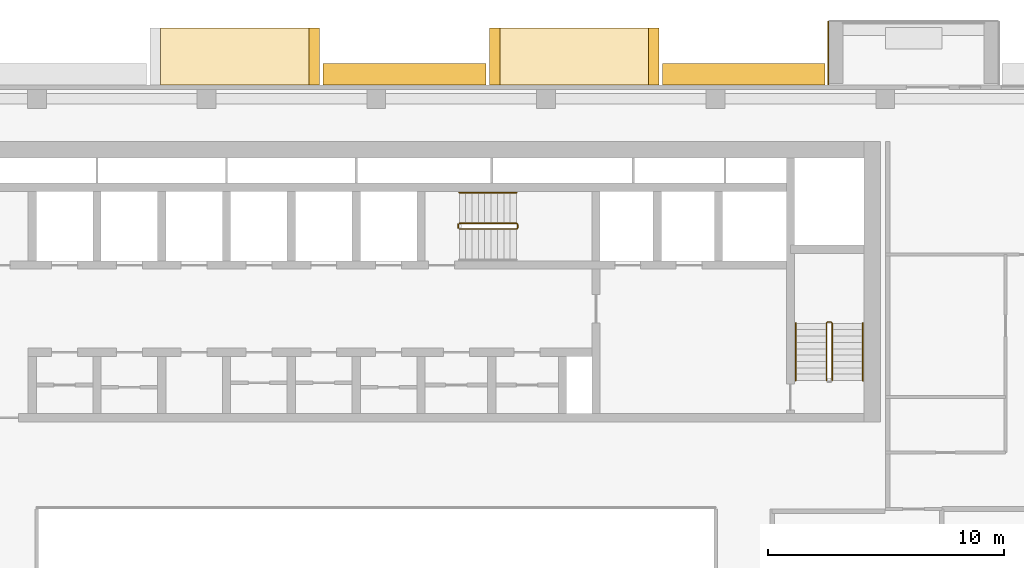
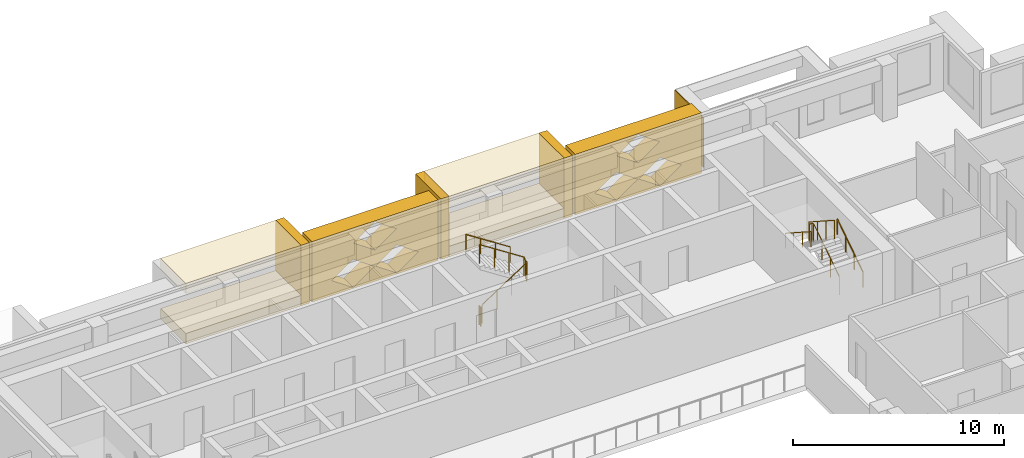
# One storey, part 19 of 20: 10 coverings, 6 railings.
"""IFC4 building model written with IfcOpenShell, lengths in metres."""

from ifc_helpers import new_model, si_unit, direction, frame, origin, origin_2d, place, context, subcontext, project, spatial, polyline, circle, outline, extrude, material, layer, layer_set, type_object, element, save


model = new_model("IFC4")

# Units and contexts
model_context = context("Model", 3, precision=1e-05, world=origin(), true_north=direction((0.0, 1.0)))
body_context = subcontext(model_context, "Body", "Model", "MODEL_VIEW")
ifc_project = project(units=[si_unit("LENGTHUNIT", "METRE"), si_unit("AREAUNIT", "SQUARE_METRE"), si_unit("VOLUMEUNIT", "CUBIC_METRE"), si_unit("PLANEANGLEUNIT", "RADIAN"), si_unit("MASSUNIT", "GRAM", prefix="KILO")], contexts=[model_context])

# Site, building, storey
site_placement = place(None, origin())
site = spatial("IfcSite", under=ifc_project, at=site_placement, CompositionType="ELEMENT")
building_placement = place(site_placement, origin())
building = spatial("IfcBuilding", under=site, at=building_placement, Name="Saffron Iwan Residences", CompositionType="ELEMENT")
storey_placement = place(building_placement, frame((0.0, 0.0, 185.0)))
storey = spatial("IfcBuildingStorey", under=building, at=storey_placement, Name="L49", CompositionType="ELEMENT", Elevation=185.0)

# Coverings
ifc_material_1 = material(Name="Precast concrete C40/50 white painted", Category="concrete")
ifc_layer = layer(ifc_material_1, 0.050048828125)
ifc_layer_set = layer_set([ifc_layer], Name="Precast concrete C40/50 white painted")
covering_type_1 = type_object("IfcCoveringType", Name="FRAME SKIN PRECAST WHITE 50", PredefinedType="CLADDING", material=ifc_layer_set)
covering_1_placement = place(storey_placement, origin())
element("IfcCovering", 1, at=covering_1_placement, inside=storey, type_object=covering_type_1, Name="Frame skin fin L49 F5-0b", PredefinedType="CLADDING", context=body_context, shape_type="SweptSolid", body=[
    extrude(outline(polyline([(69.60009765625, 83.10009765625), (69.550048828125, 83.10009765625), (69.550048828125, 80.39990234375), (69.60009765625, 80.39990234375), (69.60009765625, 83.10009765625)])), origin(), (0.0, 0.0, 1.0), 2.85009765625),
])
ifc_material_2 = material(Name="Precast concrete C40/50", Category="concrete")
covering_type_2 = type_object("IfcCoveringType", Name="OUTER SKIN LATTICE SCREEN", PredefinedType="CLADDING", material=ifc_material_2)
for number, where, z_axis, x_axis, name in (
    (2, (69.449951171875, 80.39990234375, -0.300048828125), (0.0, 1.0, 0.0), (-1.0, 0.0, 0.0), "OUTER SKIN lattice screen L49 F5.1"),
    (3, (55.050048828125, 80.39990234375, -0.300048828125), (0.0, 1.0, 0.0), (-1.0, 0.0, 0.0), "OUTER SKIN lattice screen L49 F5.2"),
):
    element("IfcCovering", number, at=place(storey_placement, frame(where, z_axis=z_axis, x_axis=x_axis)), inside=storey, type_object=covering_type_2, Name=name, PredefinedType="CLADDING", context=body_context, shape_type="SweptSolid", body=[
        extrude(outline(polyline([(0.0, 0.0), (6.89990234375, 0.0), (6.89990234375, 3.5), (0.0, 3.5), (0.0, 0.0)]), holes=[polyline([(1.070068359375, 0.875), (2.25, 0.06005859375), (3.429931640625, 0.875), (2.25, 1.68994140625), (1.070068359375, 0.875)]), polyline([(3.469970703125, 0.875), (4.64990234375, 0.06005859375), (5.830078125, 0.875), (4.64990234375, 1.68994140625), (3.469970703125, 0.875)]), polyline([(2.27001953125, 2.625), (3.449951171875, 1.81005859375), (4.6298828125, 2.625), (3.449951171875, 3.43994140625), (2.27001953125, 2.625)])]), origin(), (0.0, 0.0, 1.0), 0.900146484375),
    ])

# Railings
ifc_material_3 = material(Name="Steel S355", Category="steel")
railing_type_1 = type_object("IfcRailingType", Name="Stair guard 1100", PredefinedType="GUARDRAIL", material=ifc_material_3)
railing_1_placement = place(storey_placement, frame((53.925048828125, 74.27490234375, 0.175048828125)))
element("IfcRailing", 4, at=railing_1_placement, inside=storey, type_object=railing_type_1, Name="L49 ST-C stair guard 1", PredefinedType="GUARDRAIL", context=body_context, shape_type="SweptSolid", body=[
    extrude(circle(Radius=0.02392578125, at=origin_2d()), frame((0.0, 0.0, 1.076171875), z_axis=(0.839153699163, 0.0, 0.543894354798), x_axis=(0.0, 1.0, 0.0)), (0.0, 0.0, 1.0), 2.895751953125),
    extrude(circle(Radius=0.02392578125, at=origin_2d()), frame((2.429931640625, 0.0, 2.65087890625), z_axis=(0.707106781187, 0.707106781187, 0.0), x_axis=(-0.707106781187, 0.707106781187, 0.0)), (0.0, 0.0, 1.0), 0.07080078125),
    extrude(circle(Radius=0.02392578125, at=origin_2d()), frame((2.47998046875, 0.050048828125, 2.65087890625), z_axis=(0.0, 1.0, 0.0), x_axis=(-1.0, 0.0, 0.0)), (0.0, 0.0, 1.0), 0.150146484375),
    extrude(circle(Radius=0.02392578125, at=origin_2d()), frame((2.47998046875, 0.2001953125, 2.65087890625), z_axis=(-0.265155923931, 0.263862480399, 0.927399011991), x_axis=(-0.705375805398, -0.708833529934, 0.0)), (0.0, 0.0, 1.0), 0.188720703125),
    extrude(circle(Radius=0.02392578125, at=origin_2d()), frame((2.429931640625, 0.25, 2.826171875), z_axis=(-0.839153699163, 0.0, 0.543894354798), x_axis=(0.0, -1.0, 0.0)), (0.0, 0.0, 1.0), 2.895751953125),
    extrude(circle(Radius=0.02099609375, at=origin_2d()), origin(), (0.0, 0.0, 1.0), 1.052001953125),
    extrude(circle(Radius=0.02099609375, at=origin_2d()), frame((0.81005859375, 0.0, 0.52490234375)), (0.0, 0.0, 1.0), 1.052001953125),
    extrude(circle(Radius=0.02099609375, at=origin_2d()), frame((1.619873046875, 0.0, 1.050048828125)), (0.0, 0.0, 1.0), 1.052001953125),
    extrude(circle(Radius=0.02099609375, at=origin_2d()), frame((2.429931640625, 0.0, 1.574951171875)), (0.0, 0.0, 1.0), 1.052001953125),
    extrude(circle(Radius=0.02099609375, at=origin_2d()), frame((2.47998046875, 0.050048828125, 1.574951171875)), (0.0, 0.0, 1.0), 1.052001953125),
    extrude(circle(Radius=0.02099609375, at=origin_2d()), frame((2.47998046875, 0.2001953125, 1.574951171875)), (0.0, 0.0, 1.0), 1.052001953125),
    extrude(circle(Radius=0.02099609375, at=origin_2d()), frame((2.429931640625, 0.25, 1.75)), (0.0, 0.0, 1.0), 1.052001953125),
    extrude(circle(Radius=0.02099609375, at=origin_2d()), frame((1.619873046875, 0.25, 2.27490234375)), (0.0, 0.0, 1.0), 1.052001953125),
    extrude(circle(Radius=0.02099609375, at=origin_2d()), frame((0.81005859375, 0.25, 2.800048828125)), (0.0, 0.0, 1.0), 1.052001953125),
    extrude(circle(Radius=0.02099609375, at=origin_2d()), frame((0.0, 0.25, 3.324951171875)), (0.0, 0.0, 1.0), 1.052001953125),
])
railing_2_placement = place(storey_placement, frame((53.875, 74.324951171875, 0.0)))
element("IfcRailing", 5, at=railing_2_placement, inside=storey, type_object=railing_type_1, Name="L49 ST-C stair guard 2", PredefinedType="GUARDRAIL", context=body_context, shape_type="SweptSolid", body=[
    extrude(circle(Radius=0.02392578125, at=origin_2d()), frame((0.0, 0.0, 1.076171875), z_axis=(0.0, 1.0, 0.0), x_axis=(-1.0, 0.0, 0.0)), (0.0, 0.0, 1.0), 0.150146484375),
    extrude(circle(Radius=0.02099609375, at=origin_2d()), origin(), (0.0, 0.0, 1.0), 1.052001953125),
    extrude(circle(Radius=0.02099609375, at=origin_2d()), frame((0.0, 0.150146484375, 0.0)), (0.0, 0.0, 1.0), 1.052001953125),
])
railing_3_placement = place(storey_placement, frame((69.75, 67.85009765625, 0.175048828125)))
element("IfcRailing", 6, at=railing_3_placement, inside=storey, type_object=railing_type_1, Name="L49 ST-E stair guard 1", PredefinedType="GUARDRAIL", context=body_context, shape_type="SweptSolid", body=[
    extrude(circle(Radius=0.02392578125, at=origin_2d()), frame((0.0, 0.0, 1.076171875), z_axis=(0.0, 0.839153699163, 0.543894354798), x_axis=(-1.0, 0.0, 0.0)), (0.0, 0.0, 1.0), 2.895751953125),
    extrude(circle(Radius=0.02392578125, at=origin_2d()), frame((0.0, 2.429931640625, 2.65087890625), z_axis=(-0.707106781187, 0.707106781187, 0.0), x_axis=(-0.707106781187, -0.707106781187, 0.0)), (0.0, 0.0, 1.0), 0.07080078125),
    extrude(circle(Radius=0.02392578125, at=origin_2d()), frame((-0.050048828125, 2.47998046875, 2.65087890625), z_axis=(-1.0, 0.0, 0.0), x_axis=(0.0, -1.0, 0.0)), (0.0, 0.0, 1.0), 0.14990234375),
    extrude(circle(Radius=0.02392578125, at=origin_2d()), frame((-0.199951171875, 2.47998046875, 2.65087890625), z_axis=(-0.265065253269, -0.265065253269, 0.927081885822), x_axis=(0.707106781187, -0.707106781187, 0.0)), (0.0, 0.0, 1.0), 0.188720703125),
    extrude(circle(Radius=0.02392578125, at=origin_2d()), frame((-0.25, 2.429931640625, 2.826171875), z_axis=(0.0, -0.839153699163, 0.543894354798), x_axis=(1.0, 0.0, 0.0)), (0.0, 0.0, 1.0), 2.895751953125),
    extrude(circle(Radius=0.02099609375, at=origin_2d()), origin(), (0.0, 0.0, 1.0), 1.052001953125),
    extrude(circle(Radius=0.02099609375, at=origin_2d()), frame((0.0, 0.81005859375, 0.52490234375)), (0.0, 0.0, 1.0), 1.052001953125),
    extrude(circle(Radius=0.02099609375, at=origin_2d()), frame((0.0, 1.619873046875, 1.050048828125)), (0.0, 0.0, 1.0), 1.052001953125),
    extrude(circle(Radius=0.02099609375, at=origin_2d()), frame((0.0, 2.429931640625, 1.574951171875)), (0.0, 0.0, 1.0), 1.052001953125),
    extrude(circle(Radius=0.02099609375, at=origin_2d()), frame((-0.050048828125, 2.47998046875, 1.574951171875)), (0.0, 0.0, 1.0), 1.052001953125),
    extrude(circle(Radius=0.02099609375, at=origin_2d()), frame((-0.199951171875, 2.47998046875, 1.574951171875)), (0.0, 0.0, 1.0), 1.052001953125),
    extrude(circle(Radius=0.02099609375, at=origin_2d()), frame((-0.25, 2.429931640625, 1.75)), (0.0, 0.0, 1.0), 1.052001953125),
    extrude(circle(Radius=0.02099609375, at=origin_2d()), frame((-0.25, 1.619873046875, 2.27490234375)), (0.0, 0.0, 1.0), 1.052001953125),
    extrude(circle(Radius=0.02099609375, at=origin_2d()), frame((-0.25, 0.81005859375, 2.800048828125)), (0.0, 0.0, 1.0), 1.052001953125),
    extrude(circle(Radius=0.02099609375, at=origin_2d()), frame((-0.25, 0.0, 3.324951171875)), (0.0, 0.0, 1.0), 1.052001953125),
])
ifc_material_4 = material(Name="Stainless steel 316", Category="steel")
railing_type_2 = type_object("IfcRailingType", Name="Stair handrail 900", PredefinedType="HANDRAIL", material=ifc_material_4)
railing_4_placement = place(storey_placement, frame((56.35498046875, 75.824951171875, 1.925048828125)))
element("IfcRailing", 7, at=railing_4_placement, inside=storey, type_object=railing_type_2, Name="L49 ST-C stair handrail 2", PredefinedType="HANDRAIL", context=body_context, shape_type="SweptSolid", body=[
    extrude(circle(Radius=0.02392578125, at=origin_2d()), frame((0.0, 0.0, 0.8759765625), z_axis=(-0.839153699163, 0.0, 0.543894354798), x_axis=(0.0, -1.0, 0.0)), (0.0, 0.0, 1.0), 2.895751953125),
    extrude(circle(Radius=0.02099609375, at=origin_2d()), origin(), (0.0, 0.0, 1.0), 0.851806640625),
    extrude(circle(Radius=0.02099609375, at=origin_2d()), frame((-0.81005859375, 0.0, 0.52490234375)), (0.0, 0.0, 1.0), 0.851806640625),
    extrude(circle(Radius=0.02099609375, at=origin_2d()), frame((-1.619873046875, 0.0, 1.050048828125)), (0.0, 0.0, 1.0), 0.851806640625),
    extrude(circle(Radius=0.02099609375, at=origin_2d()), frame((-2.429931640625, 0.0, 1.574951171875)), (0.0, 0.0, 1.0), 0.851806640625),
])
railing_5_placement = place(storey_placement, frame((71.050048828125, 67.85009765625, 0.175048828125)))
element("IfcRailing", 8, at=railing_5_placement, inside=storey, type_object=railing_type_2, Name="L49 ST-E stair handrail 1", PredefinedType="HANDRAIL", context=body_context, shape_type="SweptSolid", body=[
    extrude(circle(Radius=0.02392578125, at=origin_2d()), frame((0.0, 0.0, 0.8759765625), z_axis=(0.0, 0.839153699163, 0.543894354798), x_axis=(-1.0, 0.0, 0.0)), (0.0, 0.0, 1.0), 2.895751953125),
    extrude(circle(Radius=0.02099609375, at=origin_2d()), origin(), (0.0, 0.0, 1.0), 0.851806640625),
    extrude(circle(Radius=0.02099609375, at=origin_2d()), frame((0.0, 0.81005859375, 0.52490234375)), (0.0, 0.0, 1.0), 0.851806640625),
    extrude(circle(Radius=0.02099609375, at=origin_2d()), frame((0.0, 1.619873046875, 1.050048828125)), (0.0, 0.0, 1.0), 0.851806640625),
    extrude(circle(Radius=0.02099609375, at=origin_2d()), frame((0.0, 2.429931640625, 1.574951171875)), (0.0, 0.0, 1.0), 0.851806640625),
])
railing_6_placement = place(storey_placement, frame((68.199951171875, 70.280029296875, 1.925048828125)))
element("IfcRailing", 9, at=railing_6_placement, inside=storey, type_object=railing_type_2, Name="L49 ST-E stair handrail 2", PredefinedType="HANDRAIL", context=body_context, shape_type="SweptSolid", body=[
    extrude(circle(Radius=0.02392578125, at=origin_2d()), frame((0.0, 0.0, 0.8759765625), z_axis=(0.0, -0.839153699163, 0.543894354798), x_axis=(1.0, 0.0, 0.0)), (0.0, 0.0, 1.0), 2.895751953125),
    extrude(circle(Radius=0.02099609375, at=origin_2d()), origin(), (0.0, 0.0, 1.0), 0.851806640625),
    extrude(circle(Radius=0.02099609375, at=origin_2d()), frame((0.0, -0.81005859375, 0.52490234375)), (0.0, 0.0, 1.0), 0.851806640625),
    extrude(circle(Radius=0.02099609375, at=origin_2d()), frame((0.0, -1.619873046875, 1.050048828125)), (0.0, 0.0, 1.0), 0.851806640625),
    extrude(circle(Radius=0.02099609375, at=origin_2d()), frame((0.0, -2.429931640625, 1.574951171875)), (0.0, 0.0, 1.0), 0.851806640625),
])

# Coverings
covering_type_3 = type_object("IfcCoveringType", Name="WHITE SUN FRAME PRECAST", PredefinedType="CLADDING", material=ifc_material_1)
for number, where, z_axis, x_axis, name in (
    (10, (62.39990234375, 80.39990234375, -0.300048828125), (0.0, 1.0, 0.0), (-1.0, 0.0, 0.0), "Sun frame L49 F5 20.4a"),
    (11, (55.64990234375, 80.39990234375, -0.300048828125), (0.0, 1.0, 0.0), (-1.0, 0.0, 0.0), "Sun frame L49 F5 20.4b"),
):
    element("IfcCovering", number, at=place(storey_placement, frame(where, z_axis=z_axis, x_axis=x_axis)), inside=storey, type_object=covering_type_3, Name=name, PredefinedType="CLADDING", context=body_context, shape_type="SweptSolid", body=[
        extrude(outline(polyline([(0.0, 0.0), (0.449951171875, 0.0), (0.449951171875, 3.5), (0.0, 3.5), (0.0, 0.0)])), origin(), (0.0, 0.0, 1.0), 2.400146484375),
    ])
for number, where, z_axis, x_axis, name in (
    (12, (61.949951171875, 80.39990234375, 2.60009765625), (0.0, 1.0, 0.0), (-1.0, 0.0, 0.0), "Sun frame L49 F5 20.4h"),
    (13, (61.949951171875, 80.39990234375, -0.300048828125), (0.0, 1.0, 0.0), (-1.0, 0.0, 0.0), "Sun frame L49 F5 20.4s"),
):
    element("IfcCovering", number, at=place(storey_placement, frame(where, z_axis=z_axis, x_axis=x_axis)), inside=storey, type_object=covering_type_3, Name=name, PredefinedType="CLADDING", context=body_context, shape_type="SweptSolid", body=[
        extrude(outline(polyline([(0.0, 0.0), (6.300048828125, 0.0), (6.300048828125, 0.60009765625), (0.0, 0.60009765625), (0.0, 0.0)])), origin(), (0.0, 0.0, 1.0), 2.400146484375),
    ])
covering_2_placement = place(storey_placement, frame((48.0, 80.39990234375, -0.300048828125), z_axis=(0.0, 1.0, 0.0), x_axis=(-1.0, 0.0, 0.0)))
element("IfcCovering", 14, at=covering_2_placement, inside=storey, type_object=covering_type_3, Name="Sun frame L49 F5 34.8a", PredefinedType="CLADDING", context=body_context, shape_type="SweptSolid", body=[
    extrude(outline(polyline([(0.0, 0.0), (0.449951171875, 0.0), (0.449951171875, 3.5), (0.0, 3.5), (0.0, 0.0)])), origin(), (0.0, 0.0, 1.0), 2.400146484375),
])
for number, where, z_axis, x_axis, name in (
    (15, (47.550048828125, 80.39990234375, 2.60009765625), (0.0, 1.0, 0.0), (-1.0, 0.0, 0.0), "Sun frame L49 F5 34.8h"),
    (16, (47.550048828125, 80.39990234375, -0.300048828125), (0.0, 1.0, 0.0), (-1.0, 0.0, 0.0), "Sun frame L49 F5 34.8s"),
):
    element("IfcCovering", number, at=place(storey_placement, frame(where, z_axis=z_axis, x_axis=x_axis)), inside=storey, type_object=covering_type_3, Name=name, PredefinedType="CLADDING", context=body_context, shape_type="SweptSolid", body=[
        extrude(outline(polyline([(0.0, 0.0), (6.300048828125, 0.0), (6.300048828125, 0.60009765625), (0.0, 0.60009765625), (0.0, 0.0)])), origin(), (0.0, 0.0, 1.0), 2.400146484375),
    ])

save(model, "model.ifc")
